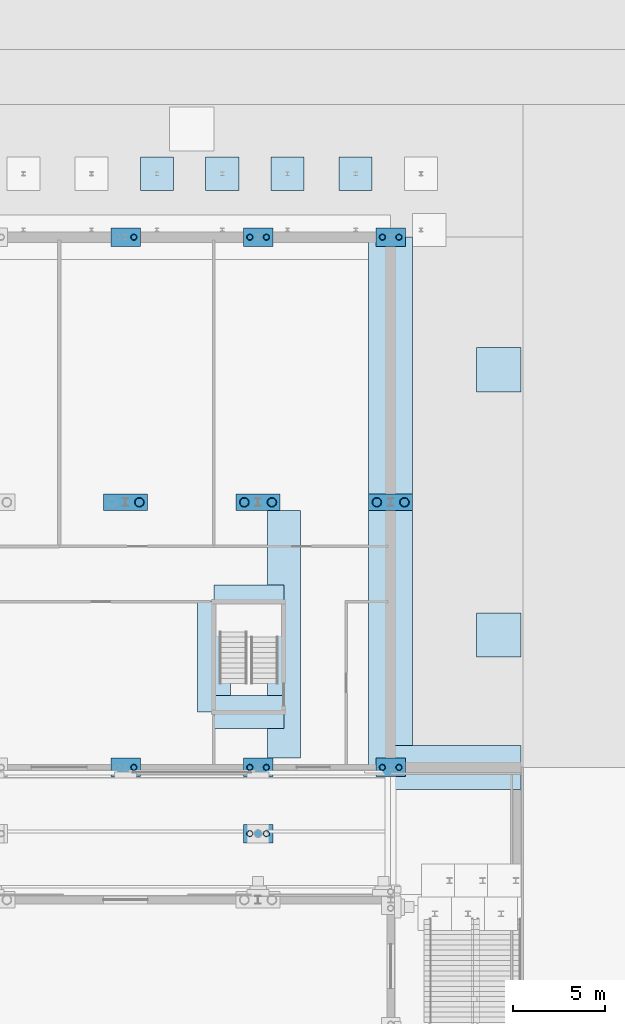
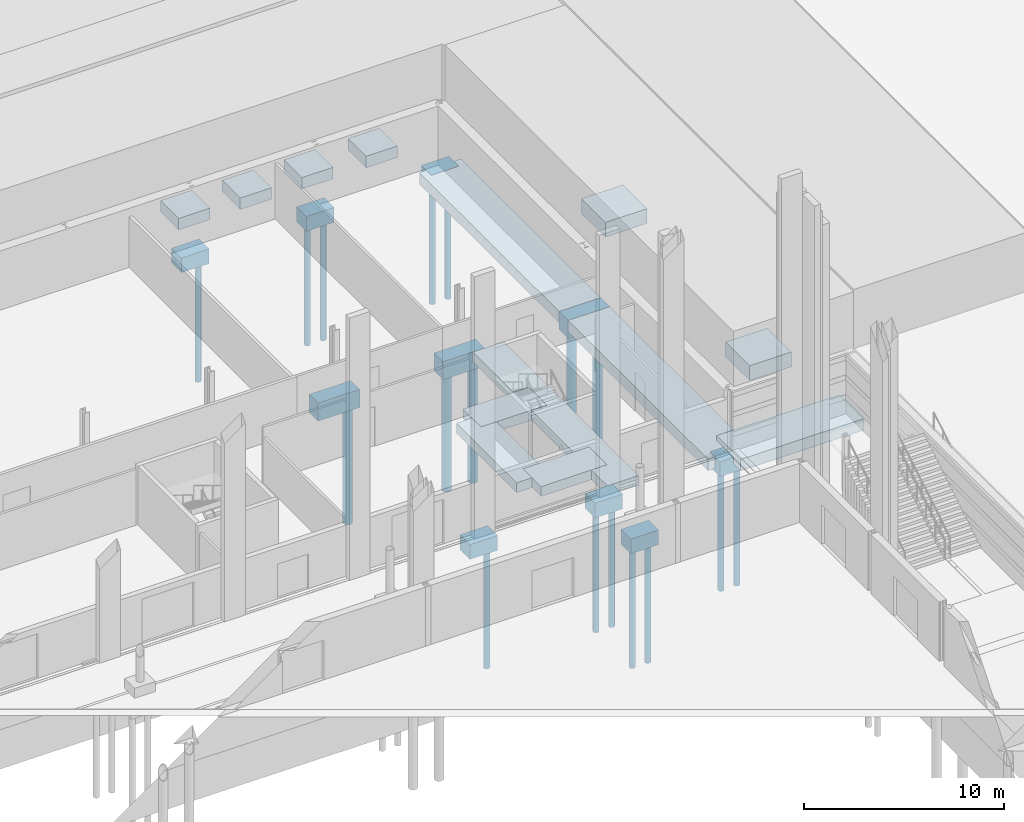
# One storey, part 34 of 148: 22 footings, 17 piles.
"""IFC4 building model written with IfcOpenShell, lengths in metres."""

from ifc_helpers import new_model, si_unit, direction, frame, origin, origin_2d, place, context, subcontext, project, spatial, rectangle, hollow_circle, extrude, material, layer, layer_set, material_profile, profile_set, type_object, element, save


model = new_model("IFC4")

# Units and contexts
model_context = context("Model", 3, precision=1e-05, world=origin(), true_north=direction((0.0, 1.0)))
body_context = subcontext(model_context, "Body", "Model", "MODEL_VIEW")
ifc_project = project(units=[si_unit("LENGTHUNIT", "METRE"), si_unit("AREAUNIT", "SQUARE_METRE"), si_unit("VOLUMEUNIT", "CUBIC_METRE"), si_unit("PLANEANGLEUNIT", "RADIAN"), si_unit("MASSUNIT", "GRAM", prefix="KILO")], contexts=[model_context])

# Site, building, storey
site_placement = place(None, origin())
site = spatial("IfcSite", under=ifc_project, at=site_placement, CompositionType="ELEMENT")
building_placement = place(site_placement, origin())
building = spatial("IfcBuilding", under=site, at=building_placement, Name="Kupolbacken Congress Centre", CompositionType="ELEMENT")
storey_placement = place(building_placement, origin())
storey = spatial("IfcBuildingStorey", under=building, at=storey_placement, Name="L00", CompositionType="ELEMENT", Elevation=0.0)

# Footings
ifc_material_1 = material(Name="Concrete C30/37", Category="concrete")
ifc_layer_1 = layer(ifc_material_1, 1.10009765625)
ifc_layer_set_1 = layer_set([ifc_layer_1], Name="Concrete C30/37")
footing_type_1 = type_object("IfcFootingType", Name="PC2 pile cap 2.40 x 0.90 x 1.10 m", PredefinedType="PILE_CAP", material=ifc_layer_set_1)
for number, where, z_axis, x_axis, name in (
    (1, (187.199951171875, 136.800048828125, -1.400146484375), (0.0, 0.0, 1.0), (1.0, 0.0, 0.0), "S/fnd/C-B-M5/cap"),
    (2, (194.39990234375, 136.800048828125, -1.400146484375), (0.0, 0.0, 1.0), (1.0, 0.0, 0.0), "S/fnd/C-B-M6/cap"),
    (3, (201.60009765625, 136.800048828125, -1.400146484375), (0.0, 0.0, 1.0), (1.0, 0.0, 0.0), "S/fnd/C-B-M7/cap"),
):
    element("IfcFooting", number, at=place(storey_placement, frame(where, z_axis=z_axis, x_axis=x_axis)), inside=storey, type_object=footing_type_1, Name=name, PredefinedType="PILE_CAP", context=body_context, shape_type="SweptSolid", body=[
        extrude(rectangle(XDim=2.39990234375, YDim=0.89990234375, at=origin_2d()), origin(), (0.0, 0.0, 1.0), 1.10009765625),
    ])
ifc_material_2 = material(Name="Concrete C30/37", Category="concrete")
ifc_layer_2 = layer(ifc_material_2, 0.89990234375)
ifc_layer_set_2 = layer_set([ifc_layer_2], Name="Concrete C30/37")
footing_type_2 = type_object("IfcFootingType", Name="PC7 pile cap 1.60 x 1.00 x 0.90 m", PredefinedType="PILE_CAP", material=ifc_layer_set_2)
for number, where, z_axis, x_axis, name in (
    (4, (187.199951171875, 122.39990234375, -1.199951171875), (0.0, 0.0, 1.0), (1.0, 0.0, 0.0), "S/fnd/C-B-B6S/cap"),
    (5, (187.199951171875, 151.199951171875, -1.199951171875), (0.0, 0.0, 1.0), (1.0, 0.0, 0.0), "S/fnd/C-B-B6N/cap"),
    (6, (194.39990234375, 122.39990234375, -1.199951171875), (0.0, 0.0, 1.0), (1.0, 0.0, 0.0), "S/fnd/C-B-B7S/cap"),
    (7, (194.39990234375, 151.199951171875, -1.199951171875), (0.0, 0.0, 1.0), (1.0, 0.0, 0.0), "S/fnd/C-B-B7N/cap"),
    (8, (201.60009765625, 122.39990234375, -1.199951171875), (0.0, 0.0, 1.0), (1.0, 0.0, 0.0), "S/fnd/C-B-B8S/cap"),
    (9, (201.60009765625, 151.199951171875, -1.199951171875), (0.0, 0.0, 1.0), (1.0, 0.0, 0.0), "S/fnd/C-B-B8N/cap"),
    (10, (194.39990234375, 118.800048828125, -1.199951171875), (0.0, 0.0, 1.0), (1.0, 0.0, 0.0), "MS/M8N/fnd/cap"),
):
    element("IfcFooting", number, at=place(storey_placement, frame(where, z_axis=z_axis, x_axis=x_axis)), inside=storey, type_object=footing_type_2, Name=name, PredefinedType="PILE_CAP", context=body_context, shape_type="SweptSolid", body=[
        extrude(rectangle(XDim=1.60009765625, YDim=1.0, at=origin_2d()), origin(), (0.0, 0.0, 1.0), 0.89990234375),
    ])
ifc_material_3 = material(Name="Concrete C30/37", Category="concrete")
ifc_layer_3 = layer(ifc_material_3, 0.89990234375)
ifc_layer_set_3 = layer_set([ifc_layer_3], Name="Concrete C30/37")
footing_type_3 = type_object("IfcFootingType", Name="PD1 pad footing 2.40 x 2.40 x 0.90 m", PredefinedType="PAD_FOOTING", material=ifc_layer_set_3)
for number, where, z_axis, x_axis, name in (
    (11, (207.469970703125, 129.60009765625, -1.199951171875), (0.0, 0.0, 1.0), (1.0, 0.0, 0.0), "S/fnd/pier/BET1"),
    (12, (207.469970703125, 144.0, -1.199951171875), (0.0, 0.0, 1.0), (1.0, 0.0, 0.0), "S/fnd/pier/BET2"),
):
    element("IfcFooting", number, at=place(storey_placement, frame(where, z_axis=z_axis, x_axis=x_axis)), inside=storey, type_object=footing_type_3, Name=name, PredefinedType="PAD_FOOTING", context=body_context, shape_type="SweptSolid", body=[
        extrude(rectangle(XDim=2.39990234375, YDim=2.39990234375, at=origin_2d()), origin(), (0.0, 0.0, 1.0), 0.89990234375),
    ])
ifc_material_4 = material(Name="Concrete C30/37", Category="concrete")
ifc_layer_4 = layer(ifc_material_4, 0.699951171875)
ifc_layer_set_4 = layer_set([ifc_layer_4], Name="Concrete C30/37")
footing_type_4 = type_object("IfcFootingType", Name="PD4 pad footing 1.80 x 1.80 x 0.70 m", PredefinedType="PAD_FOOTING", material=ifc_layer_set_4)
for number, where, z_axis, x_axis, name in (
    (13, (188.89990234375, 154.64990234375, -1.0), (0.0, 0.0, 1.0), (1.0, 0.0, 0.0), "C/passage/B/padN10"),
    (14, (192.449951171875, 154.64990234375, -1.0), (0.0, 0.0, 1.0), (1.0, 0.0, 0.0), "C/passage/B/padN11"),
    (15, (196.0, 154.64990234375, -1.0), (0.0, 0.0, 1.0), (1.0, 0.0, 0.0), "C/passage/B/padN12"),
    (16, (199.699951171875, 154.64990234375, -1.0), (0.0, 0.0, 1.0), (1.0, 0.0, 0.0), "C/passage/B/padN13"),
):
    element("IfcFooting", number, at=place(storey_placement, frame(where, z_axis=z_axis, x_axis=x_axis)), inside=storey, type_object=footing_type_4, Name=name, PredefinedType="PAD_FOOTING", context=body_context, shape_type="SweptSolid", body=[
        extrude(rectangle(XDim=1.800048828125, YDim=1.800048828125, at=origin_2d()), origin(), (0.0, 0.0, 1.0), 0.699951171875),
    ])

# Piles
ifc_material_5 = material(Name="Steel S355", Category="steel")
ifc_material_profile_1 = material_profile(ifc_material_5, hollow_circle(Radius=0.161865234375, WallThickness=0.012451171875, at=origin_2d()), Name="CHS 323.9 x 12.5")
ifc_profile_set_1 = profile_set([ifc_material_profile_1], Name="Steel S355")
pile_type_1 = type_object("IfcPileType", Name="PL1 steel tube pile CHS 323.9 x 12.5", PredefinedType="BORED", material=ifc_profile_set_1)
for number, where, z_axis, x_axis, name in (
    (17, (187.64990234375, 122.39990234375, -1.199951171875), (0.0, 0.0, -1.0), (1.0, 0.0, 0.0), "S/fnd/C-B-B6S/pile2"),
    (18, (187.64990234375, 151.199951171875, -1.199951171875), (0.0, 0.0, -1.0), (1.0, 0.0, 0.0), "S/fnd/C-B-B6N/pile2"),
    (19, (193.949951171875, 122.39990234375, -1.199951171875), (0.0, 0.0, -1.0), (1.0, 0.0, 0.0), "S/fnd/C-B-B7S/pile1"),
    (20, (194.85009765625, 122.39990234375, -1.199951171875), (0.0, 0.0, -1.0), (1.0, 0.0, 0.0), "S/fnd/C-B-B7S/pile2"),
    (21, (193.949951171875, 151.199951171875, -1.199951171875), (0.0, 0.0, -1.0), (1.0, 0.0, 0.0), "S/fnd/C-B-B7N/pile1"),
    (22, (194.85009765625, 151.199951171875, -1.199951171875), (0.0, 0.0, -1.0), (1.0, 0.0, 0.0), "S/fnd/C-B-B7N/pile2"),
    (23, (201.14990234375, 122.39990234375, -1.199951171875), (0.0, 0.0, -1.0), (1.0, 0.0, 0.0), "S/fnd/C-B-B8S/pile1"),
    (24, (202.050048828125, 122.39990234375, -1.199951171875), (0.0, 0.0, -1.0), (1.0, 0.0, 0.0), "S/fnd/C-B-B8S/pile2"),
    (25, (201.14990234375, 151.199951171875, -1.199951171875), (0.0, 0.0, -1.0), (1.0, 0.0, 0.0), "S/fnd/C-B-B8N/pile1"),
    (26, (202.050048828125, 151.199951171875, -1.199951171875), (0.0, 0.0, -1.0), (1.0, 0.0, 0.0), "S/fnd/C-B-B8N/pile2"),
    (27, (193.949951171875, 118.800048828125, -1.199951171875), (0.0, 0.0, -1.0), (1.0, 0.0, 0.0), "MS/M8N/fnd/pile1"),
    (28, (194.85009765625, 118.800048828125, -1.199951171875), (0.0, 0.0, -1.0), (1.0, 0.0, 0.0), "MS/M8N/fnd/pile2"),
):
    element("IfcPile", number, at=place(storey_placement, frame(where, z_axis=z_axis, x_axis=x_axis)), inside=storey, type_object=pile_type_1, Name=name, PredefinedType="BORED", context=body_context, shape_type="SweptSolid", body=[
        extrude(hollow_circle(Radius=0.161865234375, WallThickness=0.012451171875, at=origin_2d()), origin(), (0.0, 0.0, 1.0), 7.300048828125),
    ])
ifc_material_6 = material(Name="Steel S355", Category="steel")
ifc_material_profile_2 = material_profile(ifc_material_6, hollow_circle(Radius=0.25390625, WallThickness=0.02001953125, at=origin_2d()), Name="CHS 508 x 20")
ifc_profile_set_2 = profile_set([ifc_material_profile_2], Name="Steel S355")
pile_type_2 = type_object("IfcPileType", Name="PL3 steel tube pile CHS 508 x 20", PredefinedType="BORED", material=ifc_profile_set_2)
for number, where, z_axis, x_axis, name in (
    (29, (187.949951171875, 136.800048828125, -1.39990234375), (0.0, 0.0, -1.0), (1.0, 0.0, 0.0), "S/fnd/C-B-M5/pile2"),
    (30, (193.64990234375, 136.800048828125, -1.39990234375), (0.0, 0.0, -1.0), (1.0, 0.0, 0.0), "S/fnd/C-B-M6/pile1"),
    (31, (195.14990234375, 136.800048828125, -1.39990234375), (0.0, 0.0, -1.0), (1.0, 0.0, 0.0), "S/fnd/C-B-M6/pile2"),
    (32, (200.85009765625, 136.800048828125, -1.39990234375), (0.0, 0.0, -1.0), (1.0, 0.0, 0.0), "S/fnd/C-B-M7/pile1"),
    (33, (202.35009765625, 136.800048828125, -1.39990234375), (0.0, 0.0, -1.0), (1.0, 0.0, 0.0), "S/fnd/C-B-M7/pile2"),
):
    element("IfcPile", number, at=place(storey_placement, frame(where, z_axis=z_axis, x_axis=x_axis)), inside=storey, type_object=pile_type_2, Name=name, PredefinedType="BORED", context=body_context, shape_type="SweptSolid", body=[
        extrude(hollow_circle(Radius=0.25390625, WallThickness=0.02001953125, at=origin_2d()), origin(), (0.0, 0.0, 1.0), 7.10009765625),
    ])

# Footings
ifc_material_7 = material(Name="Concrete C30/37", Category="concrete")
ifc_layer_5 = layer(ifc_material_7, 0.60009765625)
ifc_layer_set_5 = layer_set([ifc_layer_5], Name="Concrete C30/37")
footing_type_5 = type_object("IfcFootingType", Name="SF2 strip footing 1.80 x 0.60 m", PredefinedType="STRIP_FOOTING", material=ifc_layer_set_5)
footing_1_placement = place(storey_placement, frame((193.89990234375, 125.39990234375, -0.900146484375), z_axis=(0.0, 0.0, 1.0), x_axis=(1.0, 0.0, 0.0)))
element("IfcFooting", 34, at=footing_1_placement, inside=storey, type_object=footing_type_5, Name="S/fnd/core/088", PredefinedType="STRIP_FOOTING", context=body_context, shape_type="SweptSolid", body=[
    extrude(rectangle(XDim=3.800048828125, YDim=1.800048828125, at=origin_2d()), origin(), (0.0, 0.0, 1.0), 0.60009765625),
])
footing_2_placement = place(storey_placement, frame((195.800048828125, 129.625, -0.900146484375), z_axis=(0.0, 0.0, 1.0), x_axis=(0.0, 1.0, 0.0)))
element("IfcFooting", 35, at=footing_2_placement, inside=storey, type_object=footing_type_5, Name="S/fnd/core/089", PredefinedType="STRIP_FOOTING", context=body_context, shape_type="SweptSolid", body=[
    extrude(rectangle(XDim=13.449951171875, YDim=1.800048828125, at=origin_2d()), origin(), (0.0, 0.0, 1.0), 0.60009765625),
])
footing_3_placement = place(storey_placement, frame((192.0, 128.39990234375, -0.900146484375), z_axis=(0.0, 0.0, 1.0), x_axis=(0.0, 1.0, 0.0)))
element("IfcFooting", 36, at=footing_3_placement, inside=storey, type_object=footing_type_5, Name="S/fnd/core/106", PredefinedType="STRIP_FOOTING", context=body_context, shape_type="SweptSolid", body=[
    extrude(rectangle(XDim=6.0, YDim=1.800048828125, at=origin_2d()), origin(), (0.0, 0.0, 1.0), 0.60009765625),
])
footing_4_placement = place(storey_placement, frame((193.89990234375, 131.39990234375, -0.900146484375), z_axis=(0.0, 0.0, 1.0), x_axis=(1.0, 0.0, 0.0)))
element("IfcFooting", 37, at=footing_4_placement, inside=storey, type_object=footing_type_5, Name="S/fnd/core/107", PredefinedType="STRIP_FOOTING", context=body_context, shape_type="SweptSolid", body=[
    extrude(rectangle(XDim=3.800048828125, YDim=1.800048828125, at=origin_2d()), origin(), (0.0, 0.0, 1.0), 0.60009765625),
])
ifc_material_8 = material(Name="Concrete C30/37", Category="concrete")
ifc_layer_6 = layer(ifc_material_8, 0.699951171875)
ifc_layer_set_6 = layer_set([ifc_layer_6], Name="Concrete C30/37")
footing_type_6 = type_object("IfcFootingType", Name="SF3 strip footing 2.40 x 0.70 m", PredefinedType="STRIP_FOOTING", material=ifc_layer_set_6)
footing_5_placement = place(storey_placement, frame((205.135009765625, 122.39990234375, -0.7001953125), z_axis=(0.0, 0.0, 1.0), x_axis=(1.0, 0.0, 0.0)))
element("IfcFooting", 38, at=footing_5_placement, inside=storey, type_object=footing_type_6, Name="S/rw/RW3/F", PredefinedType="STRIP_FOOTING", context=body_context, shape_type="SweptSolid", body=[
    extrude(rectangle(XDim=7.070068359375, YDim=2.39990234375, at=origin_2d()), origin(), (0.0, 0.0, 1.0), 0.699951171875),
])
footing_6_placement = place(storey_placement, frame((201.60009765625, 136.800048828125, -1.0), z_axis=(0.0, 0.0, 1.0), x_axis=(0.0, 1.0, 0.0)))
element("IfcFooting", 39, at=footing_6_placement, inside=storey, type_object=footing_type_6, Name="S/fnd/buried/BF01", PredefinedType="STRIP_FOOTING", context=body_context, shape_type="SweptSolid", body=[
    extrude(rectangle(XDim=28.800048828125, YDim=2.39990234375, at=origin_2d()), origin(), (0.0, 0.0, 1.0), 0.699951171875),
])

save(model, "model.ifc")
